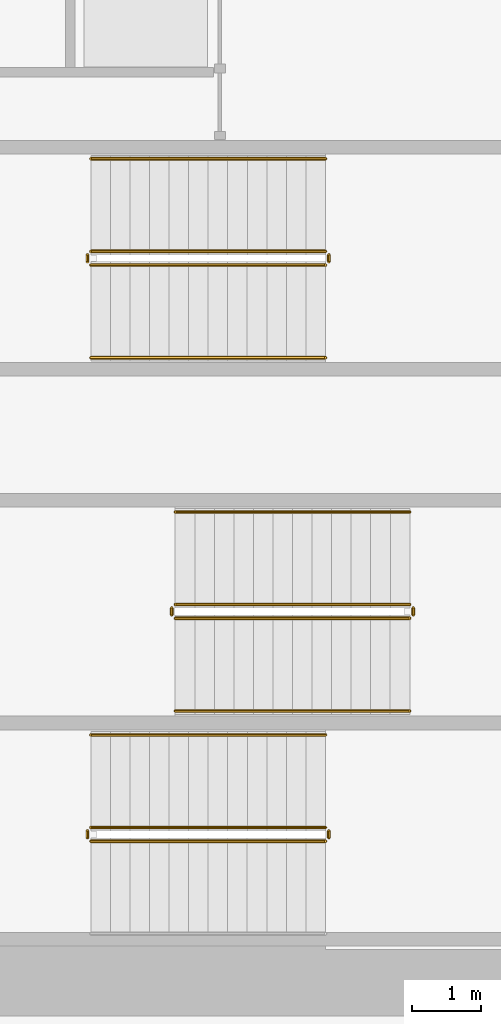
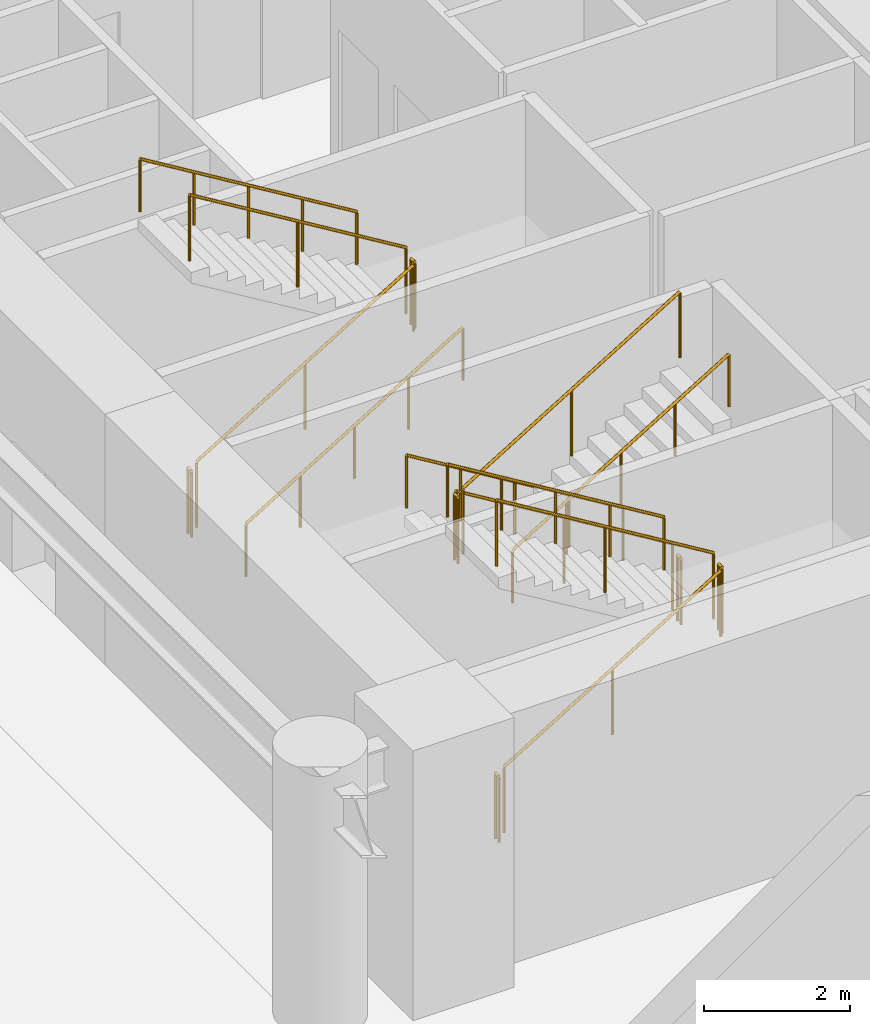
# One storey, part 37 of 42: 17 railings.
"""IFC4 building model written with IfcOpenShell, lengths in metres."""

import ifcopenshell
import ifcopenshell.guid

model = None  # the IFC model being written
_history = None  # IfcOwnerHistory: only IFC2X3 demands one
_inside = {}  # id of a spatial element -> (the spatial element, [elements in it])
_under = {}  # id of a project, library or spatial element -> (it, [spatial elements below it])
_declared = {}  # id of a project -> (the project, [libraries it declares])
_typed = {}  # id of a type object -> (the type object, [elements of that type])
_made_of = {}  # id of a material, layer set ... -> (it, [elements and type objects made of it])


def new_model(schema):
    """Start an empty IFC model of exactly this schema.

    Asked for "IFC4X3", IfcOpenShell would pick the latest addendum, in which some entities
    have other attributes; the version numbers below select the first issue.
    IFC2X3 requires an IfcOwnerHistory on every rooted entity: one is made here for all.
    """
    global model, _history
    if schema == "IFC4X3":
        model = ifcopenshell.file(schema_version=(4, 3, 0, 0))
    else:
        model = ifcopenshell.file(schema=schema)
    _inside.clear()
    _under.clear()
    _declared.clear()
    _typed.clear()
    _made_of.clear()
    _history = None
    if model.schema == "IFC2X3":
        org = make("IfcOrganization", Name="unknown")
        user = make(
            "IfcPersonAndOrganization",
            ThePerson=make("IfcPerson", FamilyName="unknown"),
            TheOrganization=org,
        )
        app = make(
            "IfcApplication",
            ApplicationDeveloper=org,
            Version="unknown",
            ApplicationFullName="unknown",
            ApplicationIdentifier="unknown",
        )
        _history = make(
            "IfcOwnerHistory",
            OwningUser=user,
            OwningApplication=app,
            ChangeAction="ADDED",
            CreationDate=0,
        )
    return model


def make(cls, **values):
    """One entity of the class cls with the attributes given. An attribute that is None is left unset."""
    return model.create_entity(
        cls, **{name: value for name, value in values.items() if value is not None}
    )


def rooted(cls, **values):
    """An entity with a GlobalId (a new one), such as an element, a storey or a relation."""
    return make(cls, GlobalId=ifcopenshell.guid.new(), OwnerHistory=_history, **values)


def si_unit(unit_type, name, prefix=None):
    """IfcSIUnit, for example si_unit("LENGTHUNIT", "METRE", prefix="MILLI")."""
    return make("IfcSIUnit", UnitType=unit_type, Prefix=prefix, Name=name)


def assignment(units):
    """IfcUnitAssignment: the units of a project."""
    return None if units is None else make("IfcUnitAssignment", Units=units)


def point(xyz):
    """IfcCartesianPoint."""
    return None if xyz is None else make("IfcCartesianPoint", Coordinates=xyz)


def direction(xyz):
    """IfcDirection."""
    return None if xyz is None else make("IfcDirection", DirectionRatios=xyz)


def frame(location, z_axis=None, x_axis=None):
    """IfcAxis2Placement3D, a coordinate frame: its origin and axes. An axis left out is left unset."""
    return make(
        "IfcAxis2Placement3D",
        Location=point(location),
        Axis=direction(z_axis),
        RefDirection=direction(x_axis),
    )


def frame_2d(location, x_axis=None):
    """IfcAxis2Placement2D, a coordinate frame in the plane: its origin and x axis."""
    return make(
        "IfcAxis2Placement2D", Location=point(location), RefDirection=direction(x_axis)
    )


def origin():
    """The frame at (0, 0, 0) with its axes left unset."""
    return frame((0.0, 0.0, 0.0))


def origin_2d():
    """The frame at (0, 0) in the plane with its x axis left unset."""
    return frame_2d((0.0, 0.0))


def place(relative_to, where):
    """IfcLocalPlacement: puts the frame where relative to a parent placement (None: the world)."""
    return make(
        "IfcLocalPlacement", PlacementRelTo=relative_to, RelativePlacement=where
    )


def context(
    kind, dimensions, precision=None, world=None, true_north=None, identifier=None
):
    """IfcGeometricRepresentationContext, for example the 3D "Model" context."""
    return make(
        "IfcGeometricRepresentationContext",
        ContextIdentifier=identifier,
        ContextType=kind,
        CoordinateSpaceDimension=dimensions,
        Precision=precision,
        WorldCoordinateSystem=world,
        TrueNorth=true_north,
    )


def subcontext(parent, identifier, kind, view, scale=None):
    """IfcGeometricRepresentationSubContext, for example "Body" below "Model"."""
    return make(
        "IfcGeometricRepresentationSubContext",
        ContextIdentifier=identifier,
        ContextType=kind,
        ParentContext=parent,
        TargetScale=scale,
        TargetView=view,
    )


def project(units=None, contexts=None):
    """IfcProject with its units and contexts."""
    return rooted(
        "IfcProject",
        Name="project",
        RepresentationContexts=contexts,
        UnitsInContext=assignment(units),
    )


def spatial(cls, under=None, at=None, **own):
    """A site, building, storey or space (cls), placed at a placement, below another one or the project."""
    s = rooted(cls, ObjectPlacement=at, **own)
    if under is not None:
        _under.setdefault(under.id(), (under, []))[1].append(s)
    return s


def profile(cls, at=None, kind="AREA", **sizes):
    """A parametric profile (cls). Its sizes go by their IFC names, for example OverallWidth=200.0."""
    return make(cls, ProfileType=kind, Position=at, **sizes)


def circle(**sizes):
    """IfcCircleProfileDef."""
    return profile("IfcCircleProfileDef", **sizes)


def extrude(swept, where, along, depth):
    """IfcExtrudedAreaSolid: the profile swept, set in the frame where, extruded along a direction by depth."""
    return make(
        "IfcExtrudedAreaSolid",
        SweptArea=swept,
        Position=where,
        ExtrudedDirection=direction(along),
        Depth=depth,
    )


def shape(context_of_items, identifier, shape_type, items):
    """IfcShapeRepresentation: the items that make up one representation, for example the "Body"."""
    return make(
        "IfcShapeRepresentation",
        ContextOfItems=context_of_items,
        RepresentationIdentifier=identifier,
        RepresentationType=shape_type,
        Items=items,
    )


def material(Name=None, Category=None):
    """IfcMaterial."""
    return make("IfcMaterial", Name=Name, Category=Category)


def made_of(thing, what):
    """Note that an element or type object is made of a material, layer set ...; save() writes the relation."""
    if what is not None:
        _made_of.setdefault(what.id(), (what, []))[1].append(thing)
    return thing


def type_object(cls, material=None, **own):
    """A type object (cls), such as IfcWallType, which elements share."""
    return made_of(rooted(cls, **own), material)


def element(
    cls,
    number,
    at=None,
    inside=None,
    cuts=None,
    type_object=None,
    material=None,
    context=None,
    identifier="Body",
    shape_type=None,
    held_by="IfcProductDefinitionShape",
    body=None,
    shapes=None,
    **own,
):
    """One element of the class cls, such as IfcWall. Its Tag is "e" and its number.

    at: its placement. inside: the storey or other place that contains it. cuts: it is an
    opening in that element (IfcRelVoidsElement). A single representation is given by context,
    identifier, shape_type and body (its items); several are given by shapes. held_by: the class
    of the entity that holds the representations. save() writes the other relations.
    """
    e = rooted(cls, Tag="e%d" % number, ObjectPlacement=at, **own)
    if body is not None:
        shapes = [shape(context, identifier, shape_type, body)]
    if shapes is not None:
        e.Representation = make(held_by, Representations=shapes)
    if inside is not None:
        _inside.setdefault(inside.id(), (inside, []))[1].append(e)
    if cuts is not None:
        rooted(
            "IfcRelVoidsElement", RelatingBuildingElement=cuts, RelatedOpeningElement=e
        )
    if type_object is not None:
        _typed.setdefault(type_object.id(), (type_object, []))[1].append(e)
    return made_of(e, material)


def aggregate(whole, parts):
    """IfcRelAggregates: a whole, such as a stair, and the parts it consists of."""
    return rooted("IfcRelAggregates", RelatingObject=whole, RelatedObjects=parts)


def save(model, path):
    """Write the relations noted so far, then the file.

    IfcRelAggregates (storeys below a building ...), IfcRelContainedInSpatialStructure (elements
    in a storey), IfcRelDefinesByType, IfcRelAssociatesMaterial and IfcRelDeclares: one each for
    every whole, place, type object, material and project.
    """
    for whole, parts in _under.values():
        aggregate(whole, parts)
    for where, things in _inside.values():
        rooted(
            "IfcRelContainedInSpatialStructure",
            RelatedElements=things,
            RelatingStructure=where,
        )
    for kind, things in _typed.values():
        rooted("IfcRelDefinesByType", RelatedObjects=things, RelatingType=kind)
    for what, things in _made_of.values():
        rooted("IfcRelAssociatesMaterial", RelatedObjects=things, RelatingMaterial=what)
    for by, libraries in _declared.values():
        rooted("IfcRelDeclares", RelatingContext=by, RelatedDefinitions=libraries)
    model.write(path)


model = new_model("IFC4")

# Units and contexts
model_context = context("Model", 3, precision=1e-05, world=origin(), true_north=direction((0.0, 1.0)))
body_context = subcontext(model_context, "Body", "Model", "MODEL_VIEW")
ifc_project = project(units=[si_unit("LENGTHUNIT", "METRE"), si_unit("AREAUNIT", "SQUARE_METRE"), si_unit("VOLUMEUNIT", "CUBIC_METRE"), si_unit("PLANEANGLEUNIT", "RADIAN"), si_unit("MASSUNIT", "GRAM", prefix="KILO")], contexts=[model_context])

# Site, building, storey
site_placement = place(None, origin())
site = spatial("IfcSite", under=ifc_project, at=site_placement, CompositionType="ELEMENT")
building_placement = place(site_placement, origin())
building = spatial("IfcBuilding", under=site, at=building_placement, Name="Narakoshi Arena Tower", CompositionType="ELEMENT")
storey_placement = place(building_placement, origin())
storey = spatial("IfcBuildingStorey", under=building, at=storey_placement, Name="L00", CompositionType="ELEMENT", Elevation=0.0)

# Railings
ifc_material_1 = material(Name="Clear low-iron laminated structural glass", Category="glass")
railing_type_1 = type_object("IfcRailingType", Name="RL-BAL-1100", PredefinedType="BALUSTRADE", material=ifc_material_1)
railing_1_placement = place(storey_placement, frame((74.39990234375, 36.949951171875, 0.173095703125)))
element("IfcRailing", 1, at=railing_1_placement, inside=storey, type_object=railing_type_1, Name="L00 ST1 stair guard 1", PredefinedType="BALUSTRADE", context=body_context, shape_type="SweptSolid", body=[
    extrude(circle(Radius=0.02392578125, at=origin_2d()), frame((0.0, 0.0, 1.09619140625), z_axis=(0.854745945586, 0.0, 0.519046595696), x_axis=(0.0, 1.0, 0.0)), (0.0, 0.0, 1.0), 4.00146484375),
    extrude(circle(Radius=0.02099609375, at=origin_2d()), origin(), (0.0, 0.0, 1.0), 1.072021484375),
    extrude(circle(Radius=0.02099609375, at=origin_2d()), frame((1.7099609375, 0.0, 1.03857421875)), (0.0, 0.0, 1.0), 1.072021484375),
    extrude(circle(Radius=0.02099609375, at=origin_2d()), frame((3.420166015625, 0.0, 2.076904296875)), (0.0, 0.0, 1.0), 1.072021484375),
])
railing_2_placement = place(storey_placement, frame((77.8701171875, 37.0, 2.25)))
element("IfcRailing", 2, at=railing_2_placement, inside=storey, type_object=railing_type_1, Name="L00 ST1 stair guard 2", PredefinedType="BALUSTRADE", context=body_context, shape_type="SweptSolid", body=[
    extrude(circle(Radius=0.02392578125, at=origin_2d()), frame((0.0, 0.0, 1.09619140625), z_axis=(0.0, 1.0, 0.0), x_axis=(-1.0, 0.0, 0.0)), (0.0, 0.0, 1.0), 0.10009765625),
    extrude(circle(Radius=0.02099609375, at=origin_2d()), origin(), (0.0, 0.0, 1.0), 1.072021484375),
    extrude(circle(Radius=0.02099609375, at=origin_2d()), frame((0.0, 0.10009765625, 0.0)), (0.0, 0.0, 1.0), 1.072021484375),
])
railing_3_placement = place(storey_placement, frame((77.820068359375, 37.14990234375, 2.423095703125)))
element("IfcRailing", 3, at=railing_3_placement, inside=storey, type_object=railing_type_1, Name="L00 ST1 stair guard 3", PredefinedType="BALUSTRADE", context=body_context, shape_type="SweptSolid", body=[
    extrude(circle(Radius=0.02392578125, at=origin_2d()), frame((0.0, 0.0, 1.09619140625), z_axis=(-0.854745945586, 0.0, 0.519046595696), x_axis=(0.0, -1.0, 0.0)), (0.0, 0.0, 1.0), 4.00146484375),
    extrude(circle(Radius=0.02099609375, at=origin_2d()), origin(), (0.0, 0.0, 1.0), 1.072021484375),
    extrude(circle(Radius=0.02099609375, at=origin_2d()), frame((-1.7099609375, 0.0, 1.03857421875)), (0.0, 0.0, 1.0), 1.072021484375),
    extrude(circle(Radius=0.02099609375, at=origin_2d()), frame((-3.420166015625, 0.0, 2.076904296875)), (0.0, 0.0, 1.0), 1.072021484375),
])
railing_4_placement = place(storey_placement, frame((74.35009765625, 37.0, 0.0)))
element("IfcRailing", 4, at=railing_4_placement, inside=storey, type_object=railing_type_1, Name="L00 ST1 stair guard 4", PredefinedType="BALUSTRADE", context=body_context, shape_type="SweptSolid", body=[
    extrude(circle(Radius=0.02392578125, at=origin_2d()), frame((0.0, 0.0, 1.09619140625), z_axis=(0.0, 1.0, 0.0), x_axis=(-1.0, 0.0, 0.0)), (0.0, 0.0, 1.0), 0.10009765625),
    extrude(circle(Radius=0.02099609375, at=origin_2d()), origin(), (0.0, 0.0, 1.0), 1.072021484375),
    extrude(circle(Radius=0.02099609375, at=origin_2d()), frame((0.0, 0.10009765625, 0.0)), (0.0, 0.0, 1.0), 1.072021484375),
])
railing_5_placement = place(storey_placement, frame((79.050048828125, 40.39990234375, 0.173095703125)))
element("IfcRailing", 5, at=railing_5_placement, inside=storey, type_object=railing_type_1, Name="L00 ST2 stair guard 1", PredefinedType="BALUSTRADE", context=body_context, shape_type="SweptSolid", body=[
    extrude(circle(Radius=0.02392578125, at=origin_2d()), frame((0.0, 0.0, 1.09619140625), z_axis=(-0.854745945586, 0.0, 0.519046595696), x_axis=(0.0, -1.0, 0.0)), (0.0, 0.0, 1.0), 4.00146484375),
    extrude(circle(Radius=0.02099609375, at=origin_2d()), origin(), (0.0, 0.0, 1.0), 1.072021484375),
    extrude(circle(Radius=0.02099609375, at=origin_2d()), frame((-1.7099609375, 0.0, 1.03857421875)), (0.0, 0.0, 1.0), 1.072021484375),
    extrude(circle(Radius=0.02099609375, at=origin_2d()), frame((-3.420166015625, 0.0, 2.076904296875)), (0.0, 0.0, 1.0), 1.072021484375),
])
railing_6_placement = place(storey_placement, frame((75.580078125, 40.35009765625, 2.25)))
element("IfcRailing", 6, at=railing_6_placement, inside=storey, type_object=railing_type_1, Name="L00 ST2 stair guard 2", PredefinedType="BALUSTRADE", context=body_context, shape_type="SweptSolid", body=[
    extrude(circle(Radius=0.02392578125, at=origin_2d()), frame((0.0, 0.0, 1.09619140625), z_axis=(0.0, -1.0, 0.0), x_axis=(1.0, 0.0, 0.0)), (0.0, 0.0, 1.0), 0.10009765625),
    extrude(circle(Radius=0.02099609375, at=origin_2d()), origin(), (0.0, 0.0, 1.0), 1.072021484375),
    extrude(circle(Radius=0.02099609375, at=origin_2d()), frame((0.0, -0.10009765625, 0.0)), (0.0, 0.0, 1.0), 1.072021484375),
])
railing_7_placement = place(storey_placement, frame((75.6298828125, 40.199951171875, 2.423095703125)))
element("IfcRailing", 7, at=railing_7_placement, inside=storey, type_object=railing_type_1, Name="L00 ST2 stair guard 3", PredefinedType="BALUSTRADE", context=body_context, shape_type="SweptSolid", body=[
    extrude(circle(Radius=0.02392578125, at=origin_2d()), frame((0.0, 0.0, 1.09619140625), z_axis=(0.854745945586, 0.0, 0.519046595696), x_axis=(0.0, 1.0, 0.0)), (0.0, 0.0, 1.0), 4.00146484375),
    extrude(circle(Radius=0.02099609375, at=origin_2d()), origin(), (0.0, 0.0, 1.0), 1.072021484375),
    extrude(circle(Radius=0.02099609375, at=origin_2d()), frame((1.7099609375, 0.0, 1.03857421875)), (0.0, 0.0, 1.0), 1.072021484375),
    extrude(circle(Radius=0.02099609375, at=origin_2d()), frame((3.420166015625, 0.0, 2.076904296875)), (0.0, 0.0, 1.0), 1.072021484375),
])
railing_8_placement = place(storey_placement, frame((79.10009765625, 40.35009765625, 0.0)))
element("IfcRailing", 8, at=railing_8_placement, inside=storey, type_object=railing_type_1, Name="L00 ST2 stair guard 4", PredefinedType="BALUSTRADE", context=body_context, shape_type="SweptSolid", body=[
    extrude(circle(Radius=0.02392578125, at=origin_2d()), frame((0.0, 0.0, 1.09619140625), z_axis=(0.0, -1.0, 0.0), x_axis=(1.0, 0.0, 0.0)), (0.0, 0.0, 1.0), 0.10009765625),
    extrude(circle(Radius=0.02099609375, at=origin_2d()), origin(), (0.0, 0.0, 1.0), 1.072021484375),
    extrude(circle(Radius=0.02099609375, at=origin_2d()), frame((0.0, -0.10009765625, 0.0)), (0.0, 0.0, 1.0), 1.072021484375),
])
railing_9_placement = place(storey_placement, frame((74.39990234375, 45.35009765625, 0.173095703125)))
element("IfcRailing", 9, at=railing_9_placement, inside=storey, type_object=railing_type_1, Name="L00 ST3 stair guard 1", PredefinedType="BALUSTRADE", context=body_context, shape_type="SweptSolid", body=[
    extrude(circle(Radius=0.02392578125, at=origin_2d()), frame((0.0, 0.0, 1.09619140625), z_axis=(0.854745945586, 0.0, 0.519046595696), x_axis=(0.0, 1.0, 0.0)), (0.0, 0.0, 1.0), 4.00146484375),
    extrude(circle(Radius=0.02099609375, at=origin_2d()), origin(), (0.0, 0.0, 1.0), 1.072021484375),
    extrude(circle(Radius=0.02099609375, at=origin_2d()), frame((1.7099609375, 0.0, 1.03857421875)), (0.0, 0.0, 1.0), 1.072021484375),
    extrude(circle(Radius=0.02099609375, at=origin_2d()), frame((3.420166015625, 0.0, 2.076904296875)), (0.0, 0.0, 1.0), 1.072021484375),
])
railing_10_placement = place(storey_placement, frame((77.8701171875, 45.39990234375, 2.25)))
element("IfcRailing", 10, at=railing_10_placement, inside=storey, type_object=railing_type_1, Name="L00 ST3 stair guard 2", PredefinedType="BALUSTRADE", context=body_context, shape_type="SweptSolid", body=[
    extrude(circle(Radius=0.02392578125, at=origin_2d()), frame((0.0, 0.0, 1.09619140625), z_axis=(0.0, 1.0, 0.0), x_axis=(-1.0, 0.0, 0.0)), (0.0, 0.0, 1.0), 0.10009765625),
    extrude(circle(Radius=0.02099609375, at=origin_2d()), origin(), (0.0, 0.0, 1.0), 1.072021484375),
    extrude(circle(Radius=0.02099609375, at=origin_2d()), frame((0.0, 0.10009765625, 0.0)), (0.0, 0.0, 1.0), 1.072021484375),
])
railing_11_placement = place(storey_placement, frame((77.820068359375, 45.550048828125, 2.423095703125)))
element("IfcRailing", 11, at=railing_11_placement, inside=storey, type_object=railing_type_1, Name="L00 ST3 stair guard 3", PredefinedType="BALUSTRADE", context=body_context, shape_type="SweptSolid", body=[
    extrude(circle(Radius=0.02392578125, at=origin_2d()), frame((0.0, 0.0, 1.09619140625), z_axis=(-0.854745945586, 0.0, 0.519046595696), x_axis=(0.0, -1.0, 0.0)), (0.0, 0.0, 1.0), 4.00146484375),
    extrude(circle(Radius=0.02099609375, at=origin_2d()), origin(), (0.0, 0.0, 1.0), 1.072021484375),
    extrude(circle(Radius=0.02099609375, at=origin_2d()), frame((-1.7099609375, 0.0, 1.03857421875)), (0.0, 0.0, 1.0), 1.072021484375),
    extrude(circle(Radius=0.02099609375, at=origin_2d()), frame((-3.420166015625, 0.0, 2.076904296875)), (0.0, 0.0, 1.0), 1.072021484375),
])
railing_12_placement = place(storey_placement, frame((74.35009765625, 45.39990234375, 0.0)))
element("IfcRailing", 12, at=railing_12_placement, inside=storey, type_object=railing_type_1, Name="L00 ST3 stair guard 4", PredefinedType="BALUSTRADE", context=body_context, shape_type="SweptSolid", body=[
    extrude(circle(Radius=0.02392578125, at=origin_2d()), frame((0.0, 0.0, 1.09619140625), z_axis=(0.0, 1.0, 0.0), x_axis=(-1.0, 0.0, 0.0)), (0.0, 0.0, 1.0), 0.10009765625),
    extrude(circle(Radius=0.02099609375, at=origin_2d()), origin(), (0.0, 0.0, 1.0), 1.072021484375),
    extrude(circle(Radius=0.02099609375, at=origin_2d()), frame((0.0, 0.10009765625, 0.0)), (0.0, 0.0, 1.0), 1.072021484375),
])
ifc_material_2 = material(Name="Brushed bronze stainless steel", Category="steel")
railing_type_2 = type_object("IfcRailingType", Name="RL-HND-900", PredefinedType="HANDRAIL", material=ifc_material_2)
for number, where, name in (
    (13, (77.820068359375, 38.5, 2.423095703125), "L00 ST1 stair handrail 2"),
    (14, (79.050048828125, 41.75, 0.173095703125), "L00 ST2 stair handrail 1"),
):
    element("IfcRailing", number, at=place(storey_placement, frame(where)), inside=storey, type_object=railing_type_2, Name=name, PredefinedType="HANDRAIL", context=body_context, shape_type="SweptSolid", body=[
        extrude(circle(Radius=0.02392578125, at=origin_2d()), frame((0.0, 0.0, 0.8759765625), z_axis=(-0.854745945586, 0.0, 0.519046595696), x_axis=(0.0, -1.0, 0.0)), (0.0, 0.0, 1.0), 4.00146484375),
        extrude(circle(Radius=0.02099609375, at=origin_2d()), origin(), (0.0, 0.0, 1.0), 0.851806640625),
        extrude(circle(Radius=0.02099609375, at=origin_2d()), frame((-0.85498046875, 0.0, 0.519287109375)), (0.0, 0.0, 1.0), 0.851806640625),
        extrude(circle(Radius=0.02099609375, at=origin_2d()), frame((-1.7099609375, 0.0, 1.03857421875)), (0.0, 0.0, 1.0), 0.851806640625),
        extrude(circle(Radius=0.02099609375, at=origin_2d()), frame((-2.565185546875, 0.0, 1.5576171875)), (0.0, 0.0, 1.0), 0.851806640625),
        extrude(circle(Radius=0.02099609375, at=origin_2d()), frame((-3.420166015625, 0.0, 2.076904296875)), (0.0, 0.0, 1.0), 0.851806640625),
    ])
for number, where, name in (
    (15, (75.6298828125, 38.85009765625, 2.423095703125), "L00 ST2 stair handrail 2"),
    (16, (74.39990234375, 44.0, 0.173095703125), "L00 ST3 stair handrail 1"),
):
    element("IfcRailing", number, at=place(storey_placement, frame(where)), inside=storey, type_object=railing_type_2, Name=name, PredefinedType="HANDRAIL", context=body_context, shape_type="SweptSolid", body=[
        extrude(circle(Radius=0.02392578125, at=origin_2d()), frame((0.0, 0.0, 0.8759765625), z_axis=(0.854745945586, 0.0, 0.519046595696), x_axis=(0.0, 1.0, 0.0)), (0.0, 0.0, 1.0), 4.00146484375),
        extrude(circle(Radius=0.02099609375, at=origin_2d()), origin(), (0.0, 0.0, 1.0), 0.851806640625),
        extrude(circle(Radius=0.02099609375, at=origin_2d()), frame((0.85498046875, 0.0, 0.519287109375)), (0.0, 0.0, 1.0), 0.851806640625),
        extrude(circle(Radius=0.02099609375, at=origin_2d()), frame((1.7099609375, 0.0, 1.03857421875)), (0.0, 0.0, 1.0), 0.851806640625),
        extrude(circle(Radius=0.02099609375, at=origin_2d()), frame((2.565185546875, 0.0, 1.5576171875)), (0.0, 0.0, 1.0), 0.851806640625),
        extrude(circle(Radius=0.02099609375, at=origin_2d()), frame((3.420166015625, 0.0, 2.076904296875)), (0.0, 0.0, 1.0), 0.851806640625),
    ])
railing_13_placement = place(storey_placement, frame((77.820068359375, 46.89990234375, 2.423095703125)))
element("IfcRailing", 17, at=railing_13_placement, inside=storey, type_object=railing_type_2, Name="L00 ST3 stair handrail 2", PredefinedType="HANDRAIL", context=body_context, shape_type="SweptSolid", body=[
    extrude(circle(Radius=0.02392578125, at=origin_2d()), frame((0.0, 0.0, 0.8759765625), z_axis=(-0.854745945586, 0.0, 0.519046595696), x_axis=(0.0, -1.0, 0.0)), (0.0, 0.0, 1.0), 4.00146484375),
    extrude(circle(Radius=0.02099609375, at=origin_2d()), origin(), (0.0, 0.0, 1.0), 0.851806640625),
    extrude(circle(Radius=0.02099609375, at=origin_2d()), frame((-0.85498046875, 0.0, 0.519287109375)), (0.0, 0.0, 1.0), 0.851806640625),
    extrude(circle(Radius=0.02099609375, at=origin_2d()), frame((-1.7099609375, 0.0, 1.03857421875)), (0.0, 0.0, 1.0), 0.851806640625),
    extrude(circle(Radius=0.02099609375, at=origin_2d()), frame((-2.565185546875, 0.0, 1.5576171875)), (0.0, 0.0, 1.0), 0.851806640625),
    extrude(circle(Radius=0.02099609375, at=origin_2d()), frame((-3.420166015625, 0.0, 2.076904296875)), (0.0, 0.0, 1.0), 0.851806640625),
])

save(model, "model.ifc")
